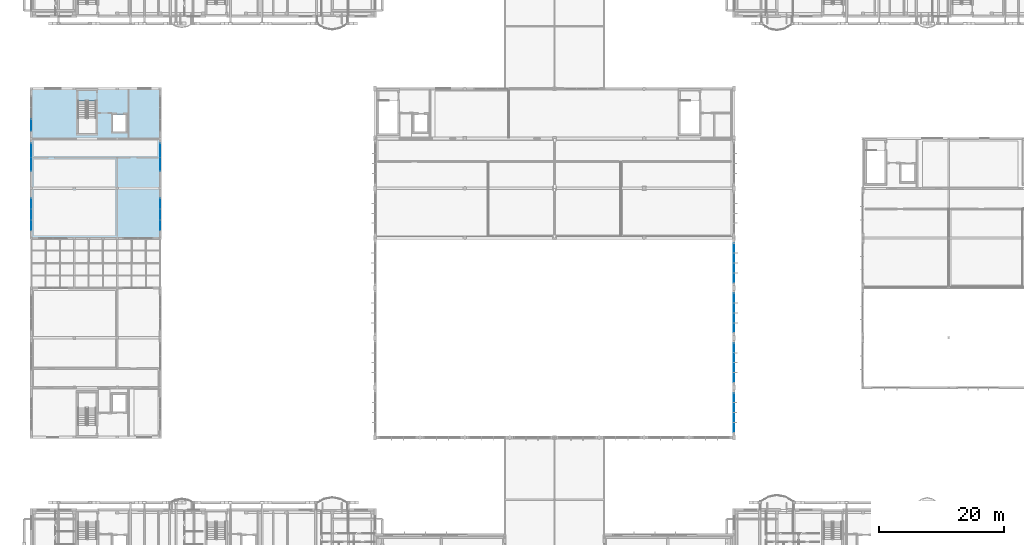
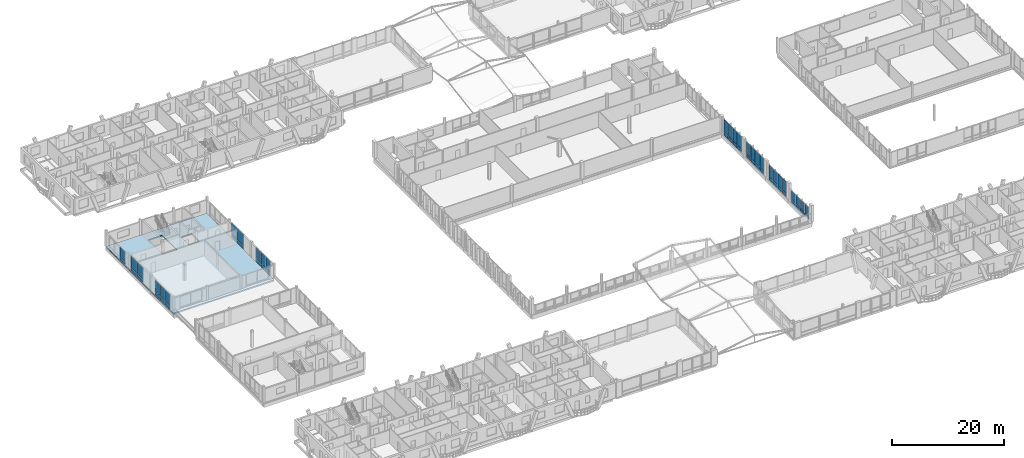
# One storey, part 127 of 189: 54 plates, 1 slab, 9 elements without a shape of their own.
"""IFC4 building model written with IfcOpenShell, lengths in metres."""

from ifc_helpers import new_model, si_unit, direction, frame, origin, origin_2d, place, context, subcontext, project, spatial, polyline, rectangle, outline, extrude, material, layer, layer_set, type_object, element, aggregate, save


model = new_model("IFC4")

# Units and contexts
model_context = context("Model", 3, precision=1e-05, world=origin(), true_north=direction((0.0, 1.0)))
body_context = subcontext(model_context, "Body", "Model", "MODEL_VIEW")
ifc_project = project(units=[si_unit("LENGTHUNIT", "METRE"), si_unit("AREAUNIT", "SQUARE_METRE"), si_unit("VOLUMEUNIT", "CUBIC_METRE"), si_unit("PLANEANGLEUNIT", "RADIAN"), si_unit("MASSUNIT", "GRAM", prefix="KILO")], contexts=[model_context])

# Site, building, storey
site_placement = place(None, origin())
site = spatial("IfcSite", under=ifc_project, at=site_placement, CompositionType="ELEMENT")
building_placement = place(site_placement, origin())
building = spatial("IfcBuilding", under=site, at=building_placement, Name="Zavelmont Quarter", CompositionType="ELEMENT")
storey_placement = place(building_placement, frame((0.0, 0.0, 4.39990234375)))
storey = spatial("IfcBuildingStorey", under=building, at=storey_placement, Name="L01", CompositionType="ELEMENT", Elevation=4.39990234375)

# Curtain wall, plates
ifc_material_1 = material(Name="Thermally broken aluminium and double low-E safety glazing", Category="aluminium")
curtain_wall_type_1 = type_object("IfcCurtainWallType", Name="CW-640X268", PredefinedType="NOTDEFINED", material=ifc_material_1)
curtain_wall_1_placement = place(storey_placement, origin())
curtain_wall_1 = element("IfcCurtainWall", 1, at=curtain_wall_1_placement, inside=storey, type_object=curtain_wall_type_1, Name="L01 unitised curtain wall CW-640X268", PredefinedType="NOTDEFINED")
ifc_material_2 = material(Name="Insulated anodised-aluminium spandrel panel", Category="aluminium")
ifc_layer_1 = layer(ifc_material_2, 0.0400390625)
ifc_layer_set_1 = layer_set([ifc_layer_1], Name="Insulated anodised-aluminium spandrel panel")
plate_type_1 = type_object("IfcPlateType", Name="CWP-SPD-1495X535", PredefinedType="CURTAIN_PANEL", material=ifc_layer_set_1)
plate_1_placement = place(storey_placement, frame((112.800048828125, 31.617431640625, -0.2099609375), z_axis=(0.0, 0.0, 1.0), x_axis=(0.0, 1.0, 0.0)))
plate_1 = element("IfcPlate", 2, at=plate_1_placement, type_object=plate_type_1, Name="CW-640X268 panel 1.1", PredefinedType="CURTAIN_PANEL", context=body_context, shape_type="SweptSolid", body=[
    extrude(rectangle(XDim=1.4951171875, YDim=0.0400390625, at=origin_2d()), origin(), (0.0, 0.0, 1.0), 0.537109375),
])
plate_2_placement = place(storey_placement, frame((112.800048828125, 36.382568359375, -0.2099609375), z_axis=(0.0, 0.0, 1.0), x_axis=(0.0, 1.0, 0.0)))
plate_2 = element("IfcPlate", 3, at=plate_2_placement, type_object=plate_type_1, Name="CW-640X268 panel 4.1", PredefinedType="CURTAIN_PANEL", context=body_context, shape_type="SweptSolid", body=[
    extrude(rectangle(XDim=1.4951171875, YDim=0.0400390625, at=origin_2d()), origin(), (0.0, 0.0, 1.0), 0.537109375),
])

curtain_wall_type_2 = type_object("IfcCurtainWallType", Name="CW-640X342", PredefinedType="NOTDEFINED", material=ifc_material_1)
curtain_wall_2_placement = place(storey_placement, origin())
curtain_wall_2 = element("IfcCurtainWall", 4, at=curtain_wall_2_placement, inside=storey, type_object=curtain_wall_type_2, Name="L01 unitised curtain wall CW-640X342", PredefinedType="NOTDEFINED")
ifc_layer_2 = layer(ifc_material_2, 0.0400390625)
ifc_layer_set_2 = layer_set([ifc_layer_2], Name="Insulated anodised-aluminium spandrel panel")
plate_type_2 = type_object("IfcPlateType", Name="CWP-SPD-1495X715", PredefinedType="CURTAIN_PANEL", material=ifc_layer_set_2)
plate_3_placement = place(storey_placement, frame((112.800048828125, 39.617431640625, -0.2099609375), z_axis=(0.0, 0.0, 1.0), x_axis=(0.0, 1.0, 0.0)))
plate_3 = element("IfcPlate", 5, at=plate_3_placement, type_object=plate_type_2, Name="CW-640X342 panel 1.1", PredefinedType="CURTAIN_PANEL", context=body_context, shape_type="SweptSolid", body=[
    extrude(rectangle(XDim=1.4951171875, YDim=0.0400390625, at=origin_2d()), origin(), (0.0, 0.0, 1.0), 0.717041015625),
])
plate_4_placement = place(storey_placement, frame((112.800048828125, 44.382568359375, -0.2099609375), z_axis=(0.0, 0.0, 1.0), x_axis=(0.0, 1.0, 0.0)))
plate_4 = element("IfcPlate", 6, at=plate_4_placement, type_object=plate_type_2, Name="CW-640X342 panel 4.1", PredefinedType="CURTAIN_PANEL", context=body_context, shape_type="SweptSolid", body=[
    extrude(rectangle(XDim=1.4951171875, YDim=0.0400390625, at=origin_2d()), origin(), (0.0, 0.0, 1.0), 0.717041015625),
])

curtain_wall_type_3 = type_object("IfcCurtainWallType", Name="CW-640X362", PredefinedType="NOTDEFINED", material=ifc_material_1)
curtain_wall_3_placement = place(storey_placement, origin())
curtain_wall_3 = element("IfcCurtainWall", 7, at=curtain_wall_3_placement, inside=storey, type_object=curtain_wall_type_3, Name="L01 unitised curtain wall CW-640X362", PredefinedType="NOTDEFINED")
ifc_layer_3 = layer(ifc_material_2, 0.0400390625)
ifc_layer_set_3 = layer_set([ifc_layer_3], Name="Insulated anodised-aluminium spandrel panel")
plate_type_3 = type_object("IfcPlateType", Name="CWP-SPD-1495X745", PredefinedType="CURTAIN_PANEL", material=ifc_layer_set_3)
plate_5_placement = place(storey_placement, frame((112.800048828125, 47.617431640625, -0.2099609375), z_axis=(0.0, 0.0, 1.0), x_axis=(0.0, 1.0, 0.0)))
plate_5 = element("IfcPlate", 8, at=plate_5_placement, type_object=plate_type_3, Name="CW-640X362 panel 1.1", PredefinedType="CURTAIN_PANEL", context=body_context, shape_type="SweptSolid", body=[
    extrude(rectangle(XDim=1.4951171875, YDim=0.0400390625, at=origin_2d()), origin(), (0.0, 0.0, 1.0), 0.7451171875),
])
plate_6_placement = place(storey_placement, frame((112.800048828125, 52.382568359375, -0.2099609375), z_axis=(0.0, 0.0, 1.0), x_axis=(0.0, 1.0, 0.0)))
plate_6 = element("IfcPlate", 9, at=plate_6_placement, type_object=plate_type_3, Name="CW-640X362 panel 4.1", PredefinedType="CURTAIN_PANEL", context=body_context, shape_type="SweptSolid", body=[
    extrude(rectangle(XDim=1.4951171875, YDim=0.0400390625, at=origin_2d()), origin(), (0.0, 0.0, 1.0), 0.7451171875),
])

curtain_wall_4_placement = place(storey_placement, origin())
curtain_wall_4 = element("IfcCurtainWall", 10, at=curtain_wall_4_placement, inside=storey, type_object=curtain_wall_type_3, Name="L01 unitised curtain wall CW-640X362", PredefinedType="NOTDEFINED")
plate_7_placement = place(storey_placement, frame((112.800048828125, 55.617431640625, -0.2099609375), z_axis=(0.0, 0.0, 1.0), x_axis=(0.0, 1.0, 0.0)))
plate_7 = element("IfcPlate", 11, at=plate_7_placement, type_object=plate_type_3, Name="CW-640X362 panel 1.1", PredefinedType="CURTAIN_PANEL", context=body_context, shape_type="SweptSolid", body=[
    extrude(rectangle(XDim=1.4951171875, YDim=0.0400390625, at=origin_2d()), origin(), (0.0, 0.0, 1.0), 0.7451171875),
])
plate_8_placement = place(storey_placement, frame((112.800048828125, 60.382568359375, -0.2099609375), z_axis=(0.0, 0.0, 1.0), x_axis=(0.0, 1.0, 0.0)))
plate_8 = element("IfcPlate", 12, at=plate_8_placement, type_object=plate_type_3, Name="CW-640X362 panel 4.1", PredefinedType="CURTAIN_PANEL", context=body_context, shape_type="SweptSolid", body=[
    extrude(rectangle(XDim=1.4951171875, YDim=0.0400390625, at=origin_2d()), origin(), (0.0, 0.0, 1.0), 0.7451171875),
])

# Plate
ifc_layer_4 = layer(ifc_material_2, 0.0400390625)
ifc_layer_set_4 = layer_set([ifc_layer_4], Name="Insulated anodised-aluminium spandrel panel")
plate_type_4 = type_object("IfcPlateType", Name="CWP-SPD-1530X535", PredefinedType="CURTAIN_PANEL", material=ifc_layer_set_4)
plate_9_placement = place(storey_placement, frame((112.800048828125, 33.199951171875, -0.2099609375), z_axis=(0.0, 0.0, 1.0), x_axis=(0.0, 1.0, 0.0)))
plate_9 = element("IfcPlate", 13, at=plate_9_placement, type_object=plate_type_4, Name="CW-640X268 panel 2.1", PredefinedType="CURTAIN_PANEL", context=body_context, shape_type="SweptSolid", body=[
    extrude(rectangle(XDim=1.530029296875, YDim=0.0400390625, at=origin_2d()), origin(), (0.0, 0.0, 1.0), 0.537109375),
])

plate_10_placement = place(storey_placement, frame((112.800048828125, 34.800048828125, -0.2099609375), z_axis=(0.0, 0.0, 1.0), x_axis=(0.0, 1.0, 0.0)))
plate_10 = element("IfcPlate", 14, at=plate_10_placement, type_object=plate_type_4, Name="CW-640X268 panel 3.1", PredefinedType="CURTAIN_PANEL", context=body_context, shape_type="SweptSolid", body=[
    extrude(rectangle(XDim=1.530029296875, YDim=0.0400390625, at=origin_2d()), origin(), (0.0, 0.0, 1.0), 0.537109375),
])

ifc_layer_5 = layer(ifc_material_2, 0.0400390625)
ifc_layer_set_5 = layer_set([ifc_layer_5], Name="Insulated anodised-aluminium spandrel panel")
plate_type_5 = type_object("IfcPlateType", Name="CWP-SPD-1530X715", PredefinedType="CURTAIN_PANEL", material=ifc_layer_set_5)
plate_11_placement = place(storey_placement, frame((112.800048828125, 41.199951171875, -0.2099609375), z_axis=(0.0, 0.0, 1.0), x_axis=(0.0, 1.0, 0.0)))
plate_11 = element("IfcPlate", 15, at=plate_11_placement, type_object=plate_type_5, Name="CW-640X342 panel 2.1", PredefinedType="CURTAIN_PANEL", context=body_context, shape_type="SweptSolid", body=[
    extrude(rectangle(XDim=1.530029296875, YDim=0.0400390625, at=origin_2d()), origin(), (0.0, 0.0, 1.0), 0.717041015625),
])

plate_12_placement = place(storey_placement, frame((112.800048828125, 42.800048828125, -0.2099609375), z_axis=(0.0, 0.0, 1.0), x_axis=(0.0, 1.0, 0.0)))
plate_12 = element("IfcPlate", 16, at=plate_12_placement, type_object=plate_type_5, Name="CW-640X342 panel 3.1", PredefinedType="CURTAIN_PANEL", context=body_context, shape_type="SweptSolid", body=[
    extrude(rectangle(XDim=1.530029296875, YDim=0.0400390625, at=origin_2d()), origin(), (0.0, 0.0, 1.0), 0.717041015625),
])

ifc_layer_6 = layer(ifc_material_2, 0.0400390625)
ifc_layer_set_6 = layer_set([ifc_layer_6], Name="Insulated anodised-aluminium spandrel panel")
plate_type_6 = type_object("IfcPlateType", Name="CWP-SPD-1530X745", PredefinedType="CURTAIN_PANEL", material=ifc_layer_set_6)
plate_13_placement = place(storey_placement, frame((112.800048828125, 49.199951171875, -0.2099609375), z_axis=(0.0, 0.0, 1.0), x_axis=(0.0, 1.0, 0.0)))
plate_13 = element("IfcPlate", 17, at=plate_13_placement, type_object=plate_type_6, Name="CW-640X362 panel 2.1", PredefinedType="CURTAIN_PANEL", context=body_context, shape_type="SweptSolid", body=[
    extrude(rectangle(XDim=1.530029296875, YDim=0.0400390625, at=origin_2d()), origin(), (0.0, 0.0, 1.0), 0.7451171875),
])

plate_14_placement = place(storey_placement, frame((112.800048828125, 50.800048828125, -0.2099609375), z_axis=(0.0, 0.0, 1.0), x_axis=(0.0, 1.0, 0.0)))
plate_14 = element("IfcPlate", 18, at=plate_14_placement, type_object=plate_type_6, Name="CW-640X362 panel 3.1", PredefinedType="CURTAIN_PANEL", context=body_context, shape_type="SweptSolid", body=[
    extrude(rectangle(XDim=1.530029296875, YDim=0.0400390625, at=origin_2d()), origin(), (0.0, 0.0, 1.0), 0.7451171875),
])

plate_15_placement = place(storey_placement, frame((112.800048828125, 57.199951171875, -0.2099609375), z_axis=(0.0, 0.0, 1.0), x_axis=(0.0, 1.0, 0.0)))
plate_15 = element("IfcPlate", 19, at=plate_15_placement, type_object=plate_type_6, Name="CW-640X362 panel 2.1", PredefinedType="CURTAIN_PANEL", context=body_context, shape_type="SweptSolid", body=[
    extrude(rectangle(XDim=1.530029296875, YDim=0.0400390625, at=origin_2d()), origin(), (0.0, 0.0, 1.0), 0.7451171875),
])

plate_16_placement = place(storey_placement, frame((112.800048828125, 58.800048828125, -0.2099609375), z_axis=(0.0, 0.0, 1.0), x_axis=(0.0, 1.0, 0.0)))
plate_16 = element("IfcPlate", 20, at=plate_16_placement, type_object=plate_type_6, Name="CW-640X362 panel 3.1", PredefinedType="CURTAIN_PANEL", context=body_context, shape_type="SweptSolid", body=[
    extrude(rectangle(XDim=1.530029296875, YDim=0.0400390625, at=origin_2d()), origin(), (0.0, 0.0, 1.0), 0.7451171875),
])

# Curtain wall, plates
curtain_wall_type_4 = type_object("IfcCurtainWallType", Name="CW-520X333", PredefinedType="NOTDEFINED", material=ifc_material_1)
curtain_wall_5_placement = place(storey_placement, origin())
curtain_wall_5 = element("IfcCurtainWall", 21, at=curtain_wall_5_placement, inside=storey, type_object=curtain_wall_type_4, Name="L01 unitised curtain wall CW-520X333", PredefinedType="NOTDEFINED")
ifc_layer_7 = layer(ifc_material_2, 0.0400390625)
ifc_layer_set_7 = layer_set([ifc_layer_7], Name="Insulated anodised-aluminium spandrel panel")
plate_type_7 = type_object("IfcPlateType", Name="CWP-SPD-1645X710", PredefinedType="CURTAIN_PANEL", material=ifc_layer_set_7)
plate_17_placement = place(storey_placement, frame((0.0, 64.081787109375, 0.06005859375), z_axis=(0.0, 0.0, 1.0), x_axis=(0.0, 1.0, 0.0)))
plate_17 = element("IfcPlate", 22, at=plate_17_placement, type_object=plate_type_7, Name="CW-520X333 panel 1.1", PredefinedType="CURTAIN_PANEL", context=body_context, shape_type="SweptSolid", body=[
    extrude(rectangle(XDim=1.643310546875, YDim=0.0400390625, at=origin_2d()), origin(), (0.0, 0.0, 1.0), 0.708984375),
])
plate_18_placement = place(storey_placement, frame((0.0, 67.518310546875, 0.06005859375), z_axis=(0.0, 0.0, 1.0), x_axis=(0.0, 1.0, 0.0)))
plate_18 = element("IfcPlate", 23, at=plate_18_placement, type_object=plate_type_7, Name="CW-520X333 panel 3.1", PredefinedType="CURTAIN_PANEL", context=body_context, shape_type="SweptSolid", body=[
    extrude(rectangle(XDim=1.643310546875, YDim=0.0400390625, at=origin_2d()), origin(), (0.0, 0.0, 1.0), 0.708984375),
])

curtain_wall_6_placement = place(storey_placement, origin())
curtain_wall_6 = element("IfcCurtainWall", 24, at=curtain_wall_6_placement, inside=storey, type_object=curtain_wall_type_4, Name="L01 unitised curtain wall CW-520X333", PredefinedType="NOTDEFINED")
plate_19_placement = place(storey_placement, frame((20.699951171875, 64.081787109375, 0.06005859375), z_axis=(0.0, 0.0, 1.0), x_axis=(0.0, 1.0, 0.0)))
plate_19 = element("IfcPlate", 25, at=plate_19_placement, type_object=plate_type_7, Name="CW-520X333 panel 1.1", PredefinedType="CURTAIN_PANEL", context=body_context, shape_type="SweptSolid", body=[
    extrude(rectangle(XDim=1.643310546875, YDim=0.0400390625, at=origin_2d()), origin(), (0.0, 0.0, 1.0), 0.708984375),
])
plate_20_placement = place(storey_placement, frame((20.699951171875, 67.518310546875, 0.06005859375), z_axis=(0.0, 0.0, 1.0), x_axis=(0.0, 1.0, 0.0)))
plate_20 = element("IfcPlate", 26, at=plate_20_placement, type_object=plate_type_7, Name="CW-520X333 panel 3.1", PredefinedType="CURTAIN_PANEL", context=body_context, shape_type="SweptSolid", body=[
    extrude(rectangle(XDim=1.643310546875, YDim=0.0400390625, at=origin_2d()), origin(), (0.0, 0.0, 1.0), 0.708984375),
])

# Plate
ifc_layer_8 = layer(ifc_material_2, 0.0400390625)
ifc_layer_set_8 = layer_set([ifc_layer_8], Name="Insulated anodised-aluminium spandrel panel")
plate_type_8 = type_object("IfcPlateType", Name="CWP-SPD-1675X710", PredefinedType="CURTAIN_PANEL", material=ifc_layer_set_8)
plate_21_placement = place(storey_placement, frame((0.0, 65.800048828125, 0.06005859375), z_axis=(0.0, 0.0, 1.0), x_axis=(0.0, 1.0, 0.0)))
plate_21 = element("IfcPlate", 27, at=plate_21_placement, type_object=plate_type_8, Name="CW-520X333 panel 2.1", PredefinedType="CURTAIN_PANEL", context=body_context, shape_type="SweptSolid", body=[
    extrude(rectangle(XDim=1.67333984375, YDim=0.0400390625, at=origin_2d()), origin(), (0.0, 0.0, 1.0), 0.708984375),
])

plate_22_placement = place(storey_placement, frame((20.699951171875, 65.800048828125, 0.06005859375), z_axis=(0.0, 0.0, 1.0), x_axis=(0.0, 1.0, 0.0)))
plate_22 = element("IfcPlate", 28, at=plate_22_placement, type_object=plate_type_8, Name="CW-520X333 panel 2.1", PredefinedType="CURTAIN_PANEL", context=body_context, shape_type="SweptSolid", body=[
    extrude(rectangle(XDim=1.67333984375, YDim=0.0400390625, at=origin_2d()), origin(), (0.0, 0.0, 1.0), 0.708984375),
])

# Curtain wall, plate
curtain_wall_type_5 = type_object("IfcCurtainWallType", Name="CW-560X296", PredefinedType="NOTDEFINED", material=ifc_material_1)
curtain_wall_7_placement = place(storey_placement, origin())
curtain_wall_7 = element("IfcCurtainWall", 29, at=curtain_wall_7_placement, inside=storey, type_object=curtain_wall_type_5, Name="L01 unitised curtain wall CW-560X296", PredefinedType="NOTDEFINED")
ifc_layer_9 = layer(ifc_material_2, 0.0400390625)
ifc_layer_set_9 = layer_set([ifc_layer_9], Name="Insulated anodised-aluminium spandrel panel")
plate_type_9 = type_object("IfcPlateType", Name="CWP-SPD-1775X620", PredefinedType="CURTAIN_PANEL", material=ifc_layer_set_9)
plate_23_placement = place(storey_placement, frame((0.0, 80.1484375, 0.06005859375), z_axis=(0.0, 0.0, 1.0), x_axis=(0.0, 1.0, 0.0)))
plate_23 = element("IfcPlate", 30, at=plate_23_placement, type_object=plate_type_9, Name="CW-560X296 panel 1.1", PredefinedType="CURTAIN_PANEL", context=body_context, shape_type="SweptSolid", body=[
    extrude(rectangle(XDim=1.776611328125, YDim=0.0400390625, at=origin_2d()), origin(), (0.0, 0.0, 1.0), 0.6201171875),
])

# Curtain wall, plates
curtain_wall_type_6 = type_object("IfcCurtainWallType", Name="CW-440X333", PredefinedType="NOTDEFINED", material=ifc_material_1)
curtain_wall_8_placement = place(storey_placement, origin())
curtain_wall_8 = element("IfcCurtainWall", 31, at=curtain_wall_8_placement, inside=storey, type_object=curtain_wall_type_6, Name="L01 unitised curtain wall CW-440X333", PredefinedType="NOTDEFINED")
ifc_layer_10 = layer(ifc_material_2, 0.0400390625)
ifc_layer_set_10 = layer_set([ifc_layer_10], Name="Insulated anodised-aluminium spandrel panel")
plate_type_10 = type_object("IfcPlateType", Name="CWP-SPD-2110X710", PredefinedType="CURTAIN_PANEL", material=ifc_layer_set_10)
plate_24_placement = place(storey_placement, frame((0.0, 73.9150390625, 0.06005859375), z_axis=(0.0, 0.0, 1.0), x_axis=(0.0, 1.0, 0.0)))
plate_24 = element("IfcPlate", 32, at=plate_24_placement, type_object=plate_type_10, Name="CW-440X333 panel 1.1", PredefinedType="CURTAIN_PANEL", context=body_context, shape_type="SweptSolid", body=[
    extrude(rectangle(XDim=2.110107421875, YDim=0.0400390625, at=origin_2d()), origin(), (0.0, 0.0, 1.0), 0.708984375),
])
plate_25_placement = place(storey_placement, frame((0.0, 76.0849609375, 0.06005859375), z_axis=(0.0, 0.0, 1.0), x_axis=(0.0, 1.0, 0.0)))
plate_25 = element("IfcPlate", 33, at=plate_25_placement, type_object=plate_type_10, Name="CW-440X333 panel 2.1", PredefinedType="CURTAIN_PANEL", context=body_context, shape_type="SweptSolid", body=[
    extrude(rectangle(XDim=2.110107421875, YDim=0.0400390625, at=origin_2d()), origin(), (0.0, 0.0, 1.0), 0.708984375),
])

curtain_wall_9_placement = place(storey_placement, origin())
curtain_wall_9 = element("IfcCurtainWall", 34, at=curtain_wall_9_placement, inside=storey, type_object=curtain_wall_type_6, Name="L01 unitised curtain wall CW-440X333", PredefinedType="NOTDEFINED")
plate_26_placement = place(storey_placement, frame((20.699951171875, 73.9150390625, 0.06005859375), z_axis=(0.0, 0.0, 1.0), x_axis=(0.0, 1.0, 0.0)))
plate_26 = element("IfcPlate", 35, at=plate_26_placement, type_object=plate_type_10, Name="CW-440X333 panel 1.1", PredefinedType="CURTAIN_PANEL", context=body_context, shape_type="SweptSolid", body=[
    extrude(rectangle(XDim=2.110107421875, YDim=0.0400390625, at=origin_2d()), origin(), (0.0, 0.0, 1.0), 0.708984375),
])
plate_27_placement = place(storey_placement, frame((20.699951171875, 76.0849609375, 0.06005859375), z_axis=(0.0, 0.0, 1.0), x_axis=(0.0, 1.0, 0.0)))
plate_27 = element("IfcPlate", 36, at=plate_27_placement, type_object=plate_type_10, Name="CW-440X333 panel 2.1", PredefinedType="CURTAIN_PANEL", context=body_context, shape_type="SweptSolid", body=[
    extrude(rectangle(XDim=2.110107421875, YDim=0.0400390625, at=origin_2d()), origin(), (0.0, 0.0, 1.0), 0.708984375),
])

# Plate
ifc_material_3 = material(Name="Double low-E insulated vision glass", Category="glass")
ifc_layer_11 = layer(ifc_material_3, 0.028076171875)
ifc_layer_set_11 = layer_set([ifc_layer_11], Name="Double low-E insulated vision glass")
plate_type_11 = type_object("IfcPlateType", Name="CWP-VIS-1495X1930", PredefinedType="CURTAIN_PANEL", material=ifc_layer_set_11)
plate_28_placement = place(storey_placement, frame((112.800048828125, 31.617431640625, 0.39697265625), z_axis=(0.0, 0.0, 1.0), x_axis=(0.0, 1.0, 0.0)))
plate_28 = element("IfcPlate", 37, at=plate_28_placement, type_object=plate_type_11, Name="CW-640X268 panel 1.2", PredefinedType="CURTAIN_PANEL", context=body_context, shape_type="SweptSolid", body=[
    extrude(rectangle(XDim=1.4951171875, YDim=0.028076171875, at=origin_2d()), origin(), (0.0, 0.0, 1.0), 1.927978515625),
])

plate_29_placement = place(storey_placement, frame((112.800048828125, 36.382568359375, 0.39697265625), z_axis=(0.0, 0.0, 1.0), x_axis=(0.0, 1.0, 0.0)))
plate_29 = element("IfcPlate", 38, at=plate_29_placement, type_object=plate_type_11, Name="CW-640X268 panel 4.2", PredefinedType="CURTAIN_PANEL", context=body_context, shape_type="SweptSolid", body=[
    extrude(rectangle(XDim=1.4951171875, YDim=0.028076171875, at=origin_2d()), origin(), (0.0, 0.0, 1.0), 1.927978515625),
])

ifc_layer_12 = layer(ifc_material_3, 0.028076171875)
ifc_layer_set_12 = layer_set([ifc_layer_12], Name="Double low-E insulated vision glass")
plate_type_12 = type_object("IfcPlateType", Name="CWP-VIS-1495X2500", PredefinedType="CURTAIN_PANEL", material=ifc_layer_set_12)
plate_30_placement = place(storey_placement, frame((112.800048828125, 39.617431640625, 0.5771484375), z_axis=(0.0, 0.0, 1.0), x_axis=(0.0, 1.0, 0.0)))
plate_30 = element("IfcPlate", 39, at=plate_30_placement, type_object=plate_type_12, Name="CW-640X342 panel 1.2", PredefinedType="CURTAIN_PANEL", context=body_context, shape_type="SweptSolid", body=[
    extrude(rectangle(XDim=1.4951171875, YDim=0.028076171875, at=origin_2d()), origin(), (0.0, 0.0, 1.0), 2.498046875),
])

plate_31_placement = place(storey_placement, frame((112.800048828125, 44.382568359375, 0.5771484375), z_axis=(0.0, 0.0, 1.0), x_axis=(0.0, 1.0, 0.0)))
plate_31 = element("IfcPlate", 40, at=plate_31_placement, type_object=plate_type_12, Name="CW-640X342 panel 4.2", PredefinedType="CURTAIN_PANEL", context=body_context, shape_type="SweptSolid", body=[
    extrude(rectangle(XDim=1.4951171875, YDim=0.028076171875, at=origin_2d()), origin(), (0.0, 0.0, 1.0), 2.498046875),
])

ifc_layer_13 = layer(ifc_material_3, 0.028076171875)
ifc_layer_set_13 = layer_set([ifc_layer_13], Name="Double low-E insulated vision glass")
plate_type_13 = type_object("IfcPlateType", Name="CWP-VIS-1495X2665", PredefinedType="CURTAIN_PANEL", material=ifc_layer_set_13)
plate_32_placement = place(storey_placement, frame((112.800048828125, 47.617431640625, 0.60498046875), z_axis=(0.0, 0.0, 1.0), x_axis=(0.0, 1.0, 0.0)))
plate_32 = element("IfcPlate", 41, at=plate_32_placement, type_object=plate_type_13, Name="CW-640X362 panel 1.2", PredefinedType="CURTAIN_PANEL", context=body_context, shape_type="SweptSolid", body=[
    extrude(rectangle(XDim=1.4951171875, YDim=0.028076171875, at=origin_2d()), origin(), (0.0, 0.0, 1.0), 2.6650390625),
])

plate_33_placement = place(storey_placement, frame((112.800048828125, 52.382568359375, 0.60498046875), z_axis=(0.0, 0.0, 1.0), x_axis=(0.0, 1.0, 0.0)))
plate_33 = element("IfcPlate", 42, at=plate_33_placement, type_object=plate_type_13, Name="CW-640X362 panel 4.2", PredefinedType="CURTAIN_PANEL", context=body_context, shape_type="SweptSolid", body=[
    extrude(rectangle(XDim=1.4951171875, YDim=0.028076171875, at=origin_2d()), origin(), (0.0, 0.0, 1.0), 2.6650390625),
])

plate_34_placement = place(storey_placement, frame((112.800048828125, 55.617431640625, 0.60498046875), z_axis=(0.0, 0.0, 1.0), x_axis=(0.0, 1.0, 0.0)))
plate_34 = element("IfcPlate", 43, at=plate_34_placement, type_object=plate_type_13, Name="CW-640X362 panel 1.2", PredefinedType="CURTAIN_PANEL", context=body_context, shape_type="SweptSolid", body=[
    extrude(rectangle(XDim=1.4951171875, YDim=0.028076171875, at=origin_2d()), origin(), (0.0, 0.0, 1.0), 2.6650390625),
])

plate_35_placement = place(storey_placement, frame((112.800048828125, 60.382568359375, 0.60498046875), z_axis=(0.0, 0.0, 1.0), x_axis=(0.0, 1.0, 0.0)))
plate_35 = element("IfcPlate", 44, at=plate_35_placement, type_object=plate_type_13, Name="CW-640X362 panel 4.2", PredefinedType="CURTAIN_PANEL", context=body_context, shape_type="SweptSolid", body=[
    extrude(rectangle(XDim=1.4951171875, YDim=0.028076171875, at=origin_2d()), origin(), (0.0, 0.0, 1.0), 2.6650390625),
])

ifc_layer_14 = layer(ifc_material_3, 0.028076171875)
ifc_layer_set_14 = layer_set([ifc_layer_14], Name="Double low-E insulated vision glass")
plate_type_14 = type_object("IfcPlateType", Name="CWP-VIS-1530X1930", PredefinedType="CURTAIN_PANEL", material=ifc_layer_set_14)
plate_36_placement = place(storey_placement, frame((112.800048828125, 33.199951171875, 0.39697265625), z_axis=(0.0, 0.0, 1.0), x_axis=(0.0, 1.0, 0.0)))
plate_36 = element("IfcPlate", 45, at=plate_36_placement, type_object=plate_type_14, Name="CW-640X268 panel 2.2", PredefinedType="CURTAIN_PANEL", context=body_context, shape_type="SweptSolid", body=[
    extrude(rectangle(XDim=1.530029296875, YDim=0.028076171875, at=origin_2d()), origin(), (0.0, 0.0, 1.0), 1.927978515625),
])

plate_37_placement = place(storey_placement, frame((112.800048828125, 34.800048828125, 0.39697265625), z_axis=(0.0, 0.0, 1.0), x_axis=(0.0, 1.0, 0.0)))
plate_37 = element("IfcPlate", 46, at=plate_37_placement, type_object=plate_type_14, Name="CW-640X268 panel 3.2", PredefinedType="CURTAIN_PANEL", context=body_context, shape_type="SweptSolid", body=[
    extrude(rectangle(XDim=1.530029296875, YDim=0.028076171875, at=origin_2d()), origin(), (0.0, 0.0, 1.0), 1.927978515625),
])

aggregate(curtain_wall_1, [plate_1, plate_28, plate_9, plate_36, plate_10, plate_37, plate_2, plate_29])

ifc_layer_15 = layer(ifc_material_3, 0.028076171875)
ifc_layer_set_15 = layer_set([ifc_layer_15], Name="Double low-E insulated vision glass")
plate_type_15 = type_object("IfcPlateType", Name="CWP-VIS-1530X2500", PredefinedType="CURTAIN_PANEL", material=ifc_layer_set_15)
plate_38_placement = place(storey_placement, frame((112.800048828125, 41.199951171875, 0.5771484375), z_axis=(0.0, 0.0, 1.0), x_axis=(0.0, 1.0, 0.0)))
plate_38 = element("IfcPlate", 47, at=plate_38_placement, type_object=plate_type_15, Name="CW-640X342 panel 2.2", PredefinedType="CURTAIN_PANEL", context=body_context, shape_type="SweptSolid", body=[
    extrude(rectangle(XDim=1.530029296875, YDim=0.028076171875, at=origin_2d()), origin(), (0.0, 0.0, 1.0), 2.498046875),
])

plate_39_placement = place(storey_placement, frame((112.800048828125, 42.800048828125, 0.5771484375), z_axis=(0.0, 0.0, 1.0), x_axis=(0.0, 1.0, 0.0)))
plate_39 = element("IfcPlate", 48, at=plate_39_placement, type_object=plate_type_15, Name="CW-640X342 panel 3.2", PredefinedType="CURTAIN_PANEL", context=body_context, shape_type="SweptSolid", body=[
    extrude(rectangle(XDim=1.530029296875, YDim=0.028076171875, at=origin_2d()), origin(), (0.0, 0.0, 1.0), 2.498046875),
])

aggregate(curtain_wall_2, [plate_3, plate_30, plate_11, plate_38, plate_12, plate_39, plate_4, plate_31])

ifc_layer_16 = layer(ifc_material_3, 0.028076171875)
ifc_layer_set_16 = layer_set([ifc_layer_16], Name="Double low-E insulated vision glass")
plate_type_16 = type_object("IfcPlateType", Name="CWP-VIS-1530X2665", PredefinedType="CURTAIN_PANEL", material=ifc_layer_set_16)
plate_40_placement = place(storey_placement, frame((112.800048828125, 49.199951171875, 0.60498046875), z_axis=(0.0, 0.0, 1.0), x_axis=(0.0, 1.0, 0.0)))
plate_40 = element("IfcPlate", 49, at=plate_40_placement, type_object=plate_type_16, Name="CW-640X362 panel 2.2", PredefinedType="CURTAIN_PANEL", context=body_context, shape_type="SweptSolid", body=[
    extrude(rectangle(XDim=1.530029296875, YDim=0.028076171875, at=origin_2d()), origin(), (0.0, 0.0, 1.0), 2.6650390625),
])

plate_41_placement = place(storey_placement, frame((112.800048828125, 50.800048828125, 0.60498046875), z_axis=(0.0, 0.0, 1.0), x_axis=(0.0, 1.0, 0.0)))
plate_41 = element("IfcPlate", 50, at=plate_41_placement, type_object=plate_type_16, Name="CW-640X362 panel 3.2", PredefinedType="CURTAIN_PANEL", context=body_context, shape_type="SweptSolid", body=[
    extrude(rectangle(XDim=1.530029296875, YDim=0.028076171875, at=origin_2d()), origin(), (0.0, 0.0, 1.0), 2.6650390625),
])

aggregate(curtain_wall_3, [plate_5, plate_32, plate_13, plate_40, plate_14, plate_41, plate_6, plate_33])

plate_42_placement = place(storey_placement, frame((112.800048828125, 57.199951171875, 0.60498046875), z_axis=(0.0, 0.0, 1.0), x_axis=(0.0, 1.0, 0.0)))
plate_42 = element("IfcPlate", 51, at=plate_42_placement, type_object=plate_type_16, Name="CW-640X362 panel 2.2", PredefinedType="CURTAIN_PANEL", context=body_context, shape_type="SweptSolid", body=[
    extrude(rectangle(XDim=1.530029296875, YDim=0.028076171875, at=origin_2d()), origin(), (0.0, 0.0, 1.0), 2.6650390625),
])

plate_43_placement = place(storey_placement, frame((112.800048828125, 58.800048828125, 0.60498046875), z_axis=(0.0, 0.0, 1.0), x_axis=(0.0, 1.0, 0.0)))
plate_43 = element("IfcPlate", 52, at=plate_43_placement, type_object=plate_type_16, Name="CW-640X362 panel 3.2", PredefinedType="CURTAIN_PANEL", context=body_context, shape_type="SweptSolid", body=[
    extrude(rectangle(XDim=1.530029296875, YDim=0.028076171875, at=origin_2d()), origin(), (0.0, 0.0, 1.0), 2.6650390625),
])

aggregate(curtain_wall_4, [plate_7, plate_34, plate_15, plate_42, plate_16, plate_43, plate_8, plate_35])

ifc_layer_17 = layer(ifc_material_3, 0.028076171875)
ifc_layer_set_17 = layer_set([ifc_layer_17], Name="Double low-E insulated vision glass")
plate_type_17 = type_object("IfcPlateType", Name="CWP-VIS-1645X2440", PredefinedType="CURTAIN_PANEL", material=ifc_layer_set_17)
plate_44_placement = place(storey_placement, frame((0.0, 64.081787109375, 0.8291015625), z_axis=(0.0, 0.0, 1.0), x_axis=(0.0, 1.0, 0.0)))
plate_44 = element("IfcPlate", 53, at=plate_44_placement, type_object=plate_type_17, Name="CW-520X333 panel 1.2", PredefinedType="CURTAIN_PANEL", context=body_context, shape_type="SweptSolid", body=[
    extrude(rectangle(XDim=1.643310546875, YDim=0.028076171875, at=origin_2d()), origin(), (0.0, 0.0, 1.0), 2.44091796875),
])

plate_45_placement = place(storey_placement, frame((0.0, 67.518310546875, 0.8291015625), z_axis=(0.0, 0.0, 1.0), x_axis=(0.0, 1.0, 0.0)))
plate_45 = element("IfcPlate", 54, at=plate_45_placement, type_object=plate_type_17, Name="CW-520X333 panel 3.2", PredefinedType="CURTAIN_PANEL", context=body_context, shape_type="SweptSolid", body=[
    extrude(rectangle(XDim=1.643310546875, YDim=0.028076171875, at=origin_2d()), origin(), (0.0, 0.0, 1.0), 2.44091796875),
])

plate_46_placement = place(storey_placement, frame((20.699951171875, 64.081787109375, 0.8291015625), z_axis=(0.0, 0.0, 1.0), x_axis=(0.0, 1.0, 0.0)))
plate_46 = element("IfcPlate", 55, at=plate_46_placement, type_object=plate_type_17, Name="CW-520X333 panel 1.2", PredefinedType="CURTAIN_PANEL", context=body_context, shape_type="SweptSolid", body=[
    extrude(rectangle(XDim=1.643310546875, YDim=0.028076171875, at=origin_2d()), origin(), (0.0, 0.0, 1.0), 2.44091796875),
])

plate_47_placement = place(storey_placement, frame((20.699951171875, 67.518310546875, 0.8291015625), z_axis=(0.0, 0.0, 1.0), x_axis=(0.0, 1.0, 0.0)))
plate_47 = element("IfcPlate", 56, at=plate_47_placement, type_object=plate_type_17, Name="CW-520X333 panel 3.2", PredefinedType="CURTAIN_PANEL", context=body_context, shape_type="SweptSolid", body=[
    extrude(rectangle(XDim=1.643310546875, YDim=0.028076171875, at=origin_2d()), origin(), (0.0, 0.0, 1.0), 2.44091796875),
])

ifc_layer_18 = layer(ifc_material_3, 0.028076171875)
ifc_layer_set_18 = layer_set([ifc_layer_18], Name="Double low-E insulated vision glass")
plate_type_18 = type_object("IfcPlateType", Name="CWP-VIS-1675X2440", PredefinedType="CURTAIN_PANEL", material=ifc_layer_set_18)
plate_48_placement = place(storey_placement, frame((0.0, 65.800048828125, 0.8291015625), z_axis=(0.0, 0.0, 1.0), x_axis=(0.0, 1.0, 0.0)))
plate_48 = element("IfcPlate", 57, at=plate_48_placement, type_object=plate_type_18, Name="CW-520X333 panel 2.2", PredefinedType="CURTAIN_PANEL", context=body_context, shape_type="SweptSolid", body=[
    extrude(rectangle(XDim=1.67333984375, YDim=0.028076171875, at=origin_2d()), origin(), (0.0, 0.0, 1.0), 2.44091796875),
])

aggregate(curtain_wall_5, [plate_17, plate_44, plate_21, plate_48, plate_18, plate_45])

plate_49_placement = place(storey_placement, frame((20.699951171875, 65.800048828125, 0.8291015625), z_axis=(0.0, 0.0, 1.0), x_axis=(0.0, 1.0, 0.0)))
plate_49 = element("IfcPlate", 58, at=plate_49_placement, type_object=plate_type_18, Name="CW-520X333 panel 2.2", PredefinedType="CURTAIN_PANEL", context=body_context, shape_type="SweptSolid", body=[
    extrude(rectangle(XDim=1.67333984375, YDim=0.028076171875, at=origin_2d()), origin(), (0.0, 0.0, 1.0), 2.44091796875),
])

aggregate(curtain_wall_6, [plate_19, plate_46, plate_22, plate_49, plate_20, plate_47])

ifc_layer_19 = layer(ifc_material_3, 0.028076171875)
ifc_layer_set_19 = layer_set([ifc_layer_19], Name="Double low-E insulated vision glass")
plate_type_19 = type_object("IfcPlateType", Name="CWP-VIS-1775X2160", PredefinedType="CURTAIN_PANEL", material=ifc_layer_set_19)
plate_50_placement = place(storey_placement, frame((0.0, 80.1484375, 0.740234375), z_axis=(0.0, 0.0, 1.0), x_axis=(0.0, 1.0, 0.0)))
plate_50 = element("IfcPlate", 59, at=plate_50_placement, type_object=plate_type_19, Name="CW-560X296 panel 1.2", PredefinedType="CURTAIN_PANEL", context=body_context, shape_type="SweptSolid", body=[
    extrude(rectangle(XDim=1.776611328125, YDim=0.028076171875, at=origin_2d()), origin(), (0.0, 0.0, 1.0), 2.159912109375),
])

aggregate(curtain_wall_7, [plate_23, plate_50])

ifc_layer_20 = layer(ifc_material_3, 0.028076171875)
ifc_layer_set_20 = layer_set([ifc_layer_20], Name="Double low-E insulated vision glass")
plate_type_20 = type_object("IfcPlateType", Name="CWP-VIS-2110X2440", PredefinedType="CURTAIN_PANEL", material=ifc_layer_set_20)
plate_51_placement = place(storey_placement, frame((0.0, 73.9150390625, 0.8291015625), z_axis=(0.0, 0.0, 1.0), x_axis=(0.0, 1.0, 0.0)))
plate_51 = element("IfcPlate", 60, at=plate_51_placement, type_object=plate_type_20, Name="CW-440X333 panel 1.2", PredefinedType="CURTAIN_PANEL", context=body_context, shape_type="SweptSolid", body=[
    extrude(rectangle(XDim=2.110107421875, YDim=0.028076171875, at=origin_2d()), origin(), (0.0, 0.0, 1.0), 2.44091796875),
])

plate_52_placement = place(storey_placement, frame((0.0, 76.0849609375, 0.8291015625), z_axis=(0.0, 0.0, 1.0), x_axis=(0.0, 1.0, 0.0)))
plate_52 = element("IfcPlate", 61, at=plate_52_placement, type_object=plate_type_20, Name="CW-440X333 panel 2.2", PredefinedType="CURTAIN_PANEL", context=body_context, shape_type="SweptSolid", body=[
    extrude(rectangle(XDim=2.110107421875, YDim=0.028076171875, at=origin_2d()), origin(), (0.0, 0.0, 1.0), 2.44091796875),
])

aggregate(curtain_wall_8, [plate_24, plate_51, plate_25, plate_52])

plate_53_placement = place(storey_placement, frame((20.699951171875, 73.9150390625, 0.8291015625), z_axis=(0.0, 0.0, 1.0), x_axis=(0.0, 1.0, 0.0)))
plate_53 = element("IfcPlate", 62, at=plate_53_placement, type_object=plate_type_20, Name="CW-440X333 panel 1.2", PredefinedType="CURTAIN_PANEL", context=body_context, shape_type="SweptSolid", body=[
    extrude(rectangle(XDim=2.110107421875, YDim=0.028076171875, at=origin_2d()), origin(), (0.0, 0.0, 1.0), 2.44091796875),
])

plate_54_placement = place(storey_placement, frame((20.699951171875, 76.0849609375, 0.8291015625), z_axis=(0.0, 0.0, 1.0), x_axis=(0.0, 1.0, 0.0)))
plate_54 = element("IfcPlate", 63, at=plate_54_placement, type_object=plate_type_20, Name="CW-440X333 panel 2.2", PredefinedType="CURTAIN_PANEL", context=body_context, shape_type="SweptSolid", body=[
    extrude(rectangle(XDim=2.110107421875, YDim=0.028076171875, at=origin_2d()), origin(), (0.0, 0.0, 1.0), 2.44091796875),
])

aggregate(curtain_wall_9, [plate_26, plate_53, plate_27, plate_54])

# Slab
ifc_material_4 = material(Name="Concrete C40/50", Category="concrete")
ifc_layer_21 = layer(ifc_material_4, 0.280029296875)
ifc_layer_set_21 = layer_set([ifc_layer_21], Name="Concrete C40/50")
slab_type = type_object("IfcSlabType", Name="SL-FL280", PredefinedType="FLOOR", material=ifc_layer_set_21)
slab_placement = place(storey_placement, frame((0.0, 0.0, -0.27978515625)))
element("IfcSlab", 64, at=slab_placement, inside=storey, type_object=slab_type, Name="L01 West Cafe North slab SL-FL280", PredefinedType="FLOOR", context=body_context, shape_type="SweptSolid", body=[
    extrude(outline(polyline([(0.0, 62.0), (20.699951171875, 62.0), (20.699951171875, 86.0), (0.0, 86.0), (0.0, 62.0)]), holes=[polyline([(7.5, 84.02490234375), (7.5, 78.800048828125), (10.39990234375, 78.800048828125), (10.39990234375, 84.02490234375), (7.5, 84.02490234375)]), polyline([(13.050048828125, 79.10009765625), (15.14990234375, 79.10009765625), (15.14990234375, 81.85009765625), (13.050048828125, 81.85009765625), (13.050048828125, 79.10009765625)])]), origin(), (0.0, 0.0, 1.0), 0.27978515625),
])

save(model, "model.ifc")
